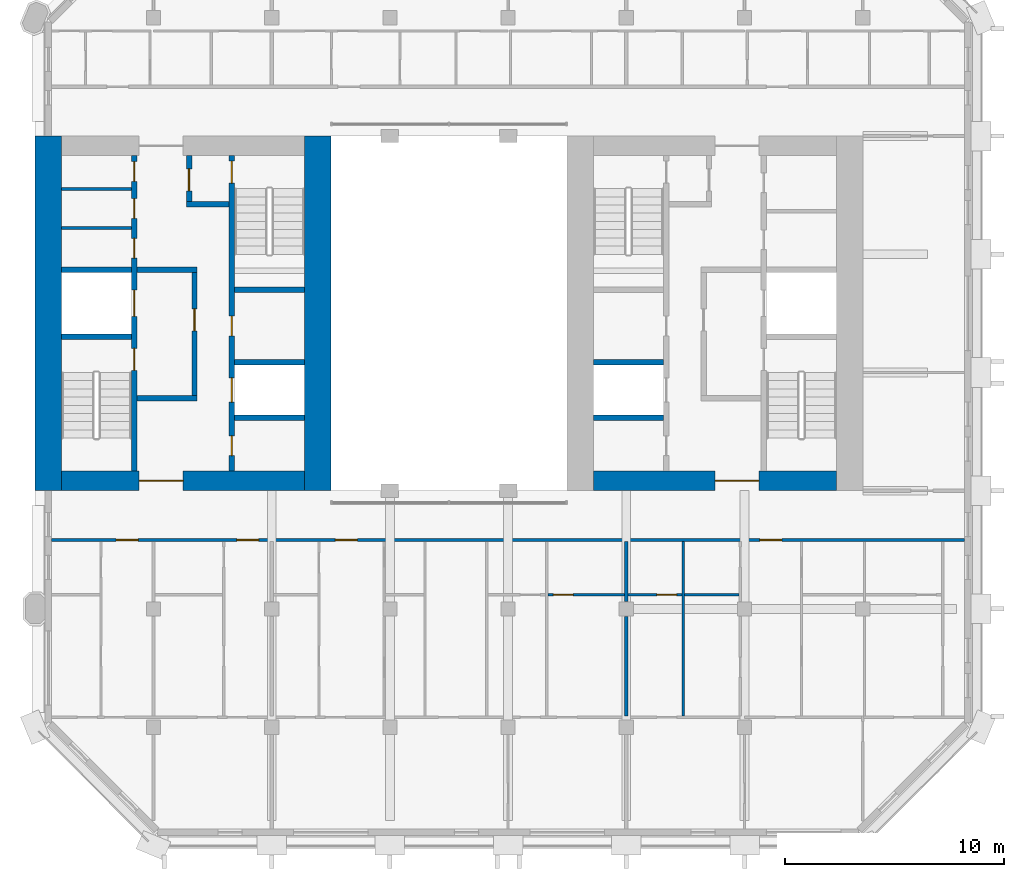
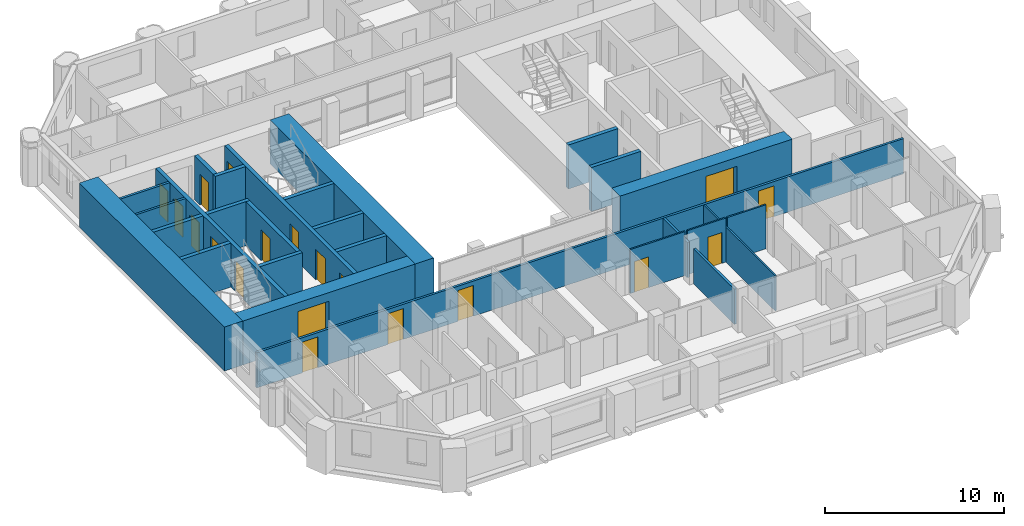
# One storey, part 7 of 14: 27 walls, 19 doors, 19 openings.
"""IFC4 building model written with IfcOpenShell, lengths in metres."""

from ifc_helpers import new_model, si_unit, direction, frame, frame_2d, origin, place, context, subcontext, project, spatial, rectangle, extrude, material, layer, layer_set, type_object, element, fill, save


model = new_model("IFC4")

# Units and contexts
model_context = context("Model", 3, precision=1e-05, world=origin(), true_north=direction((0.0, 1.0)))
body_context = subcontext(model_context, "Body", "Model", "MODEL_VIEW")
ifc_project = project(units=[si_unit("LENGTHUNIT", "METRE"), si_unit("AREAUNIT", "SQUARE_METRE"), si_unit("VOLUMEUNIT", "CUBIC_METRE"), si_unit("PLANEANGLEUNIT", "RADIAN"), si_unit("MASSUNIT", "GRAM", prefix="KILO")], contexts=[model_context])

# Site, building, storey
site_placement = place(None, origin())
site = spatial("IfcSite", under=ifc_project, at=site_placement, CompositionType="ELEMENT")
building_placement = place(site_placement, origin())
building = spatial("IfcBuilding", under=site, at=building_placement, Name="Tabaq Tower and Sports Hall", CompositionType="ELEMENT")
storey_placement = place(building_placement, frame((0.0, 0.0, 281.800048828125)))
storey = spatial("IfcBuildingStorey", under=building, at=storey_placement, Name="L69", CompositionType="ELEMENT", Elevation=281.800048828125)

# Walls
ifc_material_1 = material(Name="Blockwork", Category="masonry")
ifc_layer_1 = layer(ifc_material_1, 0.14990234375)
ifc_layer_set_1 = layer_set([ifc_layer_1], Name="Core room partition 150 Blockwork")
wall_type_1 = type_object("IfcWallType", Name="Core room partition 150 Blockwork", PredefinedType="PARTITIONING", material=ifc_layer_set_1)
for number, where, z_axis, x_axis, name in (
    (1, (6.60009765625, 28.200927734375, 0.0), (0.0, 0.0, 1.0), (1.0, 0.0, 0.0), "Core room partition W L69"),
    (2, (6.60009765625, 29.97705078125, 0.0), (0.0, 0.0, 1.0), (1.0, 0.0, 0.0), "Core room partition W L69"),
):
    element("IfcWall", number, at=place(storey_placement, frame(where, z_axis=z_axis, x_axis=x_axis)), inside=storey, type_object=wall_type_1, Name=name, PredefinedType="PARTITIONING", context=body_context, shape_type="SweptSolid", body=[
        extrude(rectangle(XDim=3.199951171875, YDim=0.14990234375, at=frame_2d((1.60009765625, 0.0))), origin(), (0.0, 0.0, 1.0), 3.0),
    ])
ifc_material_2 = material(Name="Concrete C40/50", Category="concrete")
ifc_layer_2 = layer(ifc_material_2, 1.199951171875)
ifc_layer_set_2 = layer_set([ifc_layer_2], Name="Core wall 1200 Concrete C40/50")
wall_type_2 = type_object("IfcWallType", Name="Core wall 1200 Concrete C40/50", PredefinedType="SOLIDWALL", material=ifc_layer_set_2)
for number, where, z_axis, x_axis, name in (
    (3, (6.0, 16.199951171875, 0.0), (0.0, 0.0, 1.0), (0.0, 1.0, 0.0), "Core wall W L69"),
    (4, (18.300048828125, 32.39990234375, 0.0), (0.0, 0.0, 1.0), (0.0, -1.0, 0.0), "Core wall W L69"),
):
    element("IfcWall", number, at=place(storey_placement, frame(where, z_axis=z_axis, x_axis=x_axis)), inside=storey, type_object=wall_type_2, Name=name, PredefinedType="SOLIDWALL", context=body_context, shape_type="SweptSolid", body=[
        extrude(rectangle(XDim=16.199951171875, YDim=1.199951171875, at=frame_2d((8.10009765625, 0.0))), origin(), (0.0, 0.0, 1.0), 3.0),
    ])

# Wall, opening, door
ifc_material_3 = material(Name="Concrete C40/50", Category="concrete")
ifc_layer_3 = layer(ifc_material_3, 0.89990234375)
ifc_layer_set_3 = layer_set([ifc_layer_3], Name="Core wall 900 Concrete C40/50")
wall_type_3 = type_object("IfcWallType", Name="Core wall 900 Concrete C40/50", PredefinedType="SOLIDWALL", material=ifc_layer_set_3)
wall_1_placement = place(storey_placement, frame((17.699951171875, 16.64990234375, 0.0), z_axis=(0.0, 0.0, 1.0), x_axis=(-1.0, 0.0, 0.0)))
wall_1 = element("IfcWall", 5, at=wall_1_placement, inside=storey, type_object=wall_type_3, Name="Core wall W L69", PredefinedType="SOLIDWALL", context=body_context, shape_type="SweptSolid", body=[
    extrude(rectangle(XDim=11.099853515625, YDim=0.89990234375, at=frame_2d((5.5498046875, 0.0))), origin(), (0.0, 0.0, 1.0), 3.0),
])
opening_1_placement = place(wall_1_placement, frame((5.550048828125, 0.0, 0.0)))
opening_1 = element("IfcOpeningElement", 6, at=opening_1_placement, cuts=wall_1, Name="Opening PD-WL69-01", PredefinedType="OPENING", context=body_context, shape_type="SweptSolid", body=[
    extrude(rectangle(XDim=2.0, YDim=2.39990234375, at=frame_2d((1.0, 1.199951171875))), frame((0.0, 0.449951171875, 0.0), z_axis=(0.0, -1.0, 0.0), x_axis=(1.0, 0.0, 0.0)), (0.0, 0.0, 1.0), 0.89990234375),
])
ifc_material_4 = material(Name="Steel fire door", Category="steel")
door_type_1 = type_object("IfcDoorType", Name="Core entrance door 2000", OperationType="DOUBLE_DOOR_SINGLE_SWING", PredefinedType="DOOR", material=ifc_material_4)
door_1_placement = place(opening_1_placement, origin())
door_1 = element("IfcDoor", 7, at=door_1_placement, inside=storey, type_object=door_type_1, Name="Core entrance south W L69", OperationType="DOUBLE_DOOR_SINGLE_SWING", OverallHeight=2.39990234375, OverallWidth=2.0, PredefinedType="DOOR", context=body_context, shape_type="SweptSolid", body=[
    extrude(rectangle(XDim=2.0, YDim=2.39990234375, at=frame_2d((1.0, 1.199951171875))), frame((0.0, 0.02490234375, 0.0), z_axis=(0.0, -1.0, 0.0), x_axis=(1.0, 0.0, 0.0)), (0.0, 0.0, 1.0), 0.050048828125),
])
fill(opening_1, door_1)

wall_2_placement = place(storey_placement, frame((42.0, 16.64990234375, 0.0), z_axis=(0.0, 0.0, 1.0), x_axis=(-1.0, 0.0, 0.0)))
wall_2 = element("IfcWall", 8, at=wall_2_placement, inside=storey, type_object=wall_type_3, Name="Core wall E L69", PredefinedType="SOLIDWALL", context=body_context, shape_type="SweptSolid", body=[
    extrude(rectangle(XDim=11.10009765625, YDim=0.89990234375, at=frame_2d((5.550048828125, 0.0))), origin(), (0.0, 0.0, 1.0), 3.0),
])
opening_2_placement = place(wall_2_placement, frame((3.550048828125, 0.0, 0.0)))
opening_2 = element("IfcOpeningElement", 9, at=opening_2_placement, cuts=wall_2, Name="Opening PD-EL69-01", PredefinedType="OPENING", context=body_context, shape_type="SweptSolid", body=[
    extrude(rectangle(XDim=2.0, YDim=2.39990234375, at=frame_2d((1.0, 1.199951171875))), frame((0.0, 0.449951171875, 0.0), z_axis=(0.0, -1.0, 0.0), x_axis=(1.0, 0.0, 0.0)), (0.0, 0.0, 1.0), 0.89990234375),
])
door_2_placement = place(opening_2_placement, origin())
door_2 = element("IfcDoor", 10, at=door_2_placement, inside=storey, type_object=door_type_1, Name="Core entrance south E L69", OperationType="DOUBLE_DOOR_SINGLE_SWING", OverallHeight=2.39990234375, OverallWidth=2.0, PredefinedType="DOOR", context=body_context, shape_type="SweptSolid", body=[
    extrude(rectangle(XDim=2.0, YDim=2.39990234375, at=frame_2d((1.0, 1.199951171875))), frame((0.0, 0.02490234375, 0.0), z_axis=(0.0, -1.0, 0.0), x_axis=(1.0, 0.0, 0.0)), (0.0, 0.0, 1.0), 0.050048828125),
])
fill(opening_2, door_2)

ifc_material_5 = material(Name="Gypsum board on steel studs", Category="steel")
ifc_layer_4 = layer(ifc_material_5, 0.10009765625)
ifc_layer_set_4 = layer_set([ifc_layer_4], Name="Partition 100 Gypsum board")
wall_type_4 = type_object("IfcWallType", Name="Partition 100 Gypsum board", PredefinedType="PARTITIONING", material=ifc_layer_set_4)
wall_3_placement = place(storey_placement, frame((32.324951171875, 11.449951171875, 0.0), z_axis=(0.0, 0.0, 1.0), x_axis=(-1.0, 0.0, 0.0)))
wall_3 = element("IfcWall", 11, at=wall_3_placement, inside=storey, type_object=wall_type_4, Name="Partition wall L69", PredefinedType="PARTITIONING", context=body_context, shape_type="SweptSolid", body=[
    extrude(rectangle(XDim=3.512939453125, YDim=0.10009765625, at=frame_2d((1.75634765625, 0.0))), origin(), (0.0, 0.0, 1.0), 3.0),
])
opening_3_placement = place(wall_3_placement, frame((2.35498046875, 0.0, 0.0)))
opening_3 = element("IfcOpeningElement", 12, at=opening_3_placement, cuts=wall_3, Name="Opening L69-020", PredefinedType="OPENING", context=body_context, shape_type="SweptSolid", body=[
    extrude(rectangle(XDim=0.89990234375, YDim=2.10009765625, at=frame_2d((0.449951171875, 1.050048828125))), frame((0.0, 0.050048828125, 0.0), z_axis=(0.0, -1.0, 0.0), x_axis=(1.0, 0.0, 0.0)), (0.0, 0.0, 1.0), 0.10009765625),
])
ifc_material_6 = material(Name="Timber leaf in steel frame", Category="steel")
door_type_2 = type_object("IfcDoorType", Name="Internal door 900 right hand", OperationType="SINGLE_SWING_RIGHT", PredefinedType="DOOR", material=ifc_material_6)
door_3_placement = place(opening_3_placement, origin())
door_3 = element("IfcDoor", 13, at=door_3_placement, inside=storey, type_object=door_type_2, Name="Internal door L69-020", OperationType="SINGLE_SWING_RIGHT", OverallHeight=2.10009765625, OverallWidth=0.89990234375, PredefinedType="DOOR", context=body_context, shape_type="SweptSolid", body=[
    extrude(rectangle(XDim=0.89990234375, YDim=2.10009765625, at=frame_2d((0.449951171875, 1.050048828125))), frame((0.0, 0.02490234375, 0.0), z_axis=(0.0, -1.0, 0.0), x_axis=(1.0, 0.0, 0.0)), (0.0, 0.0, 1.0), 0.050048828125),
])
fill(opening_3, door_3)

wall_4_placement = place(storey_placement, frame((34.949951171875, 11.449951171875, 0.0), z_axis=(0.0, 0.0, 1.0), x_axis=(-1.0, 0.0, 0.0)))
wall_4 = element("IfcWall", 14, at=wall_4_placement, inside=storey, type_object=wall_type_4, Name="Partition wall L69", PredefinedType="PARTITIONING", context=body_context, shape_type="SweptSolid", body=[
    extrude(rectangle(XDim=2.474853515625, YDim=0.10009765625, at=frame_2d((1.2373046875, 0.0))), origin(), (0.0, 0.0, 1.0), 3.0),
])
opening_4_placement = place(wall_4_placement, frame((0.25, 0.0, 0.0)))
opening_4 = element("IfcOpeningElement", 15, at=opening_4_placement, cuts=wall_4, Name="Opening L69-021", PredefinedType="OPENING", context=body_context, shape_type="SweptSolid", body=[
    extrude(rectangle(XDim=0.89990234375, YDim=2.10009765625, at=frame_2d((0.449951171875, 1.050048828125))), frame((0.0, 0.050048828125, 0.0), z_axis=(0.0, -1.0, 0.0), x_axis=(1.0, 0.0, 0.0)), (0.0, 0.0, 1.0), 0.10009765625),
])
ifc_material_7 = material(Name="Timber leaf in steel frame", Category="steel")
door_type_3 = type_object("IfcDoorType", Name="Internal door 900 left hand", OperationType="SINGLE_SWING_LEFT", PredefinedType="DOOR", material=ifc_material_7)
door_4_placement = place(opening_4_placement, origin())
door_4 = element("IfcDoor", 16, at=door_4_placement, inside=storey, type_object=door_type_3, Name="Internal door L69-021", OperationType="SINGLE_SWING_LEFT", OverallHeight=2.10009765625, OverallWidth=0.89990234375, PredefinedType="DOOR", context=body_context, shape_type="SweptSolid", body=[
    extrude(rectangle(XDim=0.89990234375, YDim=2.10009765625, at=frame_2d((0.449951171875, 1.050048828125))), frame((0.0, 0.02490234375, 0.0), z_axis=(0.0, -1.0, 0.0), x_axis=(1.0, 0.0, 0.0)), (0.0, 0.0, 1.0), 0.050048828125),
])
fill(opening_4, door_4)

# Walls
wall_5_placement = place(storey_placement, frame((35.0, 5.89990234375, 0.0), z_axis=(0.0, 0.0, 1.0), x_axis=(0.0, 1.0, 0.0)))
element("IfcWall", 17, at=wall_5_placement, inside=storey, type_object=wall_type_4, Name="Partition wall L69", PredefinedType="PARTITIONING", context=body_context, shape_type="SweptSolid", body=[
    extrude(rectangle(XDim=7.97509765625, YDim=0.10009765625, at=frame_2d((3.987548828125, 0.0))), origin(), (0.0, 0.0, 1.0), 2.39990234375),
])
wall_6_placement = place(storey_placement, frame((37.552001953125, 11.449951171875, 0.0), z_axis=(0.0, 0.0, 1.0), x_axis=(-1.0, 0.0, 0.0)))
element("IfcWall", 18, at=wall_6_placement, inside=storey, type_object=wall_type_4, Name="Partition wall L69", PredefinedType="PARTITIONING", context=body_context, shape_type="SweptSolid", body=[
    extrude(rectangle(XDim=2.501953125, YDim=0.10009765625, at=frame_2d((1.2509765625, 0.0))), origin(), (0.0, 0.0, 1.0), 3.0),
])
ifc_material_8 = material(Name="Blockwork", Category="masonry")
ifc_layer_5 = layer(ifc_material_8, 0.14990234375)
ifc_layer_set_5 = layer_set([ifc_layer_5], Name="Separating wall 150 Blockwork")
wall_type_5 = type_object("IfcWallType", Name="Separating wall 150 Blockwork", PredefinedType="PARTITIONING", material=ifc_layer_set_5)
wall_7_placement = place(storey_placement, frame((32.39990234375, 5.89990234375, 0.0), z_axis=(0.0, 0.0, 1.0), x_axis=(0.0, 1.0, 0.0)))
element("IfcWall", 19, at=wall_7_placement, inside=storey, type_object=wall_type_5, Name="Separating wall L69", PredefinedType="PARTITIONING", context=body_context, shape_type="SweptSolid", body=[
    extrude(rectangle(XDim=4.55517578125, YDim=0.14990234375, at=frame_2d((2.277587890625, 0.0))), origin(), (0.0, 0.0, 1.0), 2.39990234375),
])
wall_8_placement = place(storey_placement, frame((32.39990234375, 11.14501953125, 0.0), z_axis=(0.0, 0.0, 1.0), x_axis=(0.0, 1.0, 0.0)))
element("IfcWall", 20, at=wall_8_placement, inside=storey, type_object=wall_type_5, Name="Separating wall L69", PredefinedType="PARTITIONING", context=body_context, shape_type="SweptSolid", body=[
    extrude(rectangle(XDim=2.72998046875, YDim=0.14990234375, at=frame_2d((1.364990234375, 0.0))), origin(), (0.0, 0.0, 1.0), 2.39990234375),
])

# Wall, openings, doors
wall_9_placement = place(storey_placement, frame((47.84912109375, 13.949951171875, 0.0), z_axis=(0.0, 0.0, 1.0), x_axis=(-1.0, 0.0, 0.0)))
wall_9 = element("IfcWall", 21, at=wall_9_placement, inside=storey, type_object=wall_type_5, Name="Separating wall L69", PredefinedType="PARTITIONING", context=body_context, shape_type="SweptSolid", body=[
    extrude(rectangle(XDim=41.6982421875, YDim=0.14990234375, at=frame_2d((20.84912109375, 0.0))), origin(), (0.0, 0.0, 1.0), 2.39990234375),
])
opening_5_placement = place(wall_9_placement, frame((37.7490234375, 0.0, 0.0)))
opening_5 = element("IfcOpeningElement", 22, at=opening_5_placement, cuts=wall_9, Name="Opening L69-058", PredefinedType="OPENING", context=body_context, shape_type="SweptSolid", body=[
    extrude(rectangle(XDim=1.0, YDim=2.10009765625, at=frame_2d((0.5, 1.050048828125))), frame((0.0, 0.074951171875, 0.0), z_axis=(0.0, -1.0, 0.0), x_axis=(1.0, 0.0, 0.0)), (0.0, 0.0, 1.0), 0.14990234375),
])
opening_6_placement = place(wall_9_placement, frame((32.243896484375, 0.0, 0.0)))
opening_6 = element("IfcOpeningElement", 23, at=opening_6_placement, cuts=wall_9, Name="Opening L69-059", PredefinedType="OPENING", context=body_context, shape_type="SweptSolid", body=[
    extrude(rectangle(XDim=1.0, YDim=2.10009765625, at=frame_2d((0.5, 1.050048828125))), frame((0.0, 0.074951171875, 0.0), z_axis=(0.0, -1.0, 0.0), x_axis=(1.0, 0.0, 0.0)), (0.0, 0.0, 1.0), 0.14990234375),
])
opening_7_placement = place(wall_9_placement, frame((27.735107421875, 0.0, 0.0)))
opening_7 = element("IfcOpeningElement", 24, at=opening_7_placement, cuts=wall_9, Name="Opening L69-061", PredefinedType="OPENING", context=body_context, shape_type="SweptSolid", body=[
    extrude(rectangle(XDim=1.0, YDim=2.10009765625, at=frame_2d((0.5, 1.050048828125))), frame((0.0, 0.074951171875, 0.0), z_axis=(0.0, -1.0, 0.0), x_axis=(1.0, 0.0, 0.0)), (0.0, 0.0, 1.0), 0.14990234375),
])
opening_8_placement = place(wall_9_placement, frame((8.346923828125, 0.0, 0.0)))
opening_8 = element("IfcOpeningElement", 25, at=opening_8_placement, cuts=wall_9, Name="Opening L69-062", PredefinedType="OPENING", context=body_context, shape_type="SweptSolid", body=[
    extrude(rectangle(XDim=1.0, YDim=2.10009765625, at=frame_2d((0.5, 1.050048828125))), frame((0.0, 0.074951171875, 0.0), z_axis=(0.0, -1.0, 0.0), x_axis=(1.0, 0.0, 0.0)), (0.0, 0.0, 1.0), 0.14990234375),
])
ifc_material_9 = material(Name="Steel fire door", Category="steel")
door_type_4 = type_object("IfcDoorType", Name="Entrance door 1000 left hand", OperationType="SINGLE_SWING_LEFT", PredefinedType="DOOR", material=ifc_material_9)
door_5_placement = place(opening_5_placement, origin())
door_5 = element("IfcDoor", 26, at=door_5_placement, inside=storey, type_object=door_type_4, Name="Entrance door L69-058", OperationType="SINGLE_SWING_LEFT", OverallHeight=2.10009765625, OverallWidth=1.0, PredefinedType="DOOR", context=body_context, shape_type="SweptSolid", body=[
    extrude(rectangle(XDim=1.0, YDim=2.10009765625, at=frame_2d((0.5, 1.050048828125))), frame((0.0, 0.02490234375, 0.0), z_axis=(0.0, -1.0, 0.0), x_axis=(1.0, 0.0, 0.0)), (0.0, 0.0, 1.0), 0.050048828125),
])
fill(opening_5, door_5)
door_6_placement = place(opening_6_placement, origin())
door_6 = element("IfcDoor", 27, at=door_6_placement, inside=storey, type_object=door_type_4, Name="Entrance door L69-059", OperationType="SINGLE_SWING_LEFT", OverallHeight=2.10009765625, OverallWidth=1.0, PredefinedType="DOOR", context=body_context, shape_type="SweptSolid", body=[
    extrude(rectangle(XDim=1.0, YDim=2.10009765625, at=frame_2d((0.5, 1.050048828125))), frame((0.0, 0.02490234375, 0.0), z_axis=(0.0, -1.0, 0.0), x_axis=(1.0, 0.0, 0.0)), (0.0, 0.0, 1.0), 0.050048828125),
])
fill(opening_6, door_6)
door_7_placement = place(opening_8_placement, origin())
door_7 = element("IfcDoor", 28, at=door_7_placement, inside=storey, type_object=door_type_4, Name="Entrance door L69-062", OperationType="SINGLE_SWING_LEFT", OverallHeight=2.10009765625, OverallWidth=1.0, PredefinedType="DOOR", context=body_context, shape_type="SweptSolid", body=[
    extrude(rectangle(XDim=1.0, YDim=2.10009765625, at=frame_2d((0.5, 1.050048828125))), frame((0.0, 0.02490234375, 0.0), z_axis=(0.0, -1.0, 0.0), x_axis=(1.0, 0.0, 0.0)), (0.0, 0.0, 1.0), 0.050048828125),
])
fill(opening_8, door_7)
ifc_material_10 = material(Name="Steel fire door", Category="steel")
door_type_5 = type_object("IfcDoorType", Name="Entrance door 1000 right hand", OperationType="SINGLE_SWING_RIGHT", PredefinedType="DOOR", material=ifc_material_10)
door_8_placement = place(opening_7_placement, origin())
door_8 = element("IfcDoor", 29, at=door_8_placement, inside=storey, type_object=door_type_5, Name="Entrance door L69-061", OperationType="SINGLE_SWING_RIGHT", OverallHeight=2.10009765625, OverallWidth=1.0, PredefinedType="DOOR", context=body_context, shape_type="SweptSolid", body=[
    extrude(rectangle(XDim=1.0, YDim=2.10009765625, at=frame_2d((0.5, 1.050048828125))), frame((0.0, 0.02490234375, 0.0), z_axis=(0.0, -1.0, 0.0), x_axis=(1.0, 0.0, 0.0)), (0.0, 0.0, 1.0), 0.050048828125),
])
fill(opening_7, door_8)

ifc_material_11 = material(Name="Concrete C40/50", Category="concrete")
ifc_layer_6 = layer(ifc_material_11, 0.25)
ifc_layer_set_6 = layer_set([ifc_layer_6], Name="Shaft and stair wall 250 Concrete C40/50")
wall_type_6 = type_object("IfcWallType", Name="Shaft and stair wall 250 Concrete C40/50", PredefinedType="SOLIDWALL", material=ifc_layer_set_6)
wall_10_placement = place(storey_placement, frame((9.925048828125, 17.10009765625, 0.0), z_axis=(0.0, 0.0, 1.0), x_axis=(0.0, 1.0, 0.0)))
wall_10 = element("IfcWall", 30, at=wall_10_placement, inside=storey, type_object=wall_type_6, Name="Shaft wall W L69", PredefinedType="SOLIDWALL", context=body_context, shape_type="SweptSolid", body=[
    extrude(rectangle(XDim=14.39990234375, YDim=0.25, at=frame_2d((7.199951171875, 0.0))), origin(), (0.0, 0.0, 1.0), 3.0),
])
opening_9_placement = place(wall_10_placement, frame((4.60009765625, 0.0, 0.0)))
opening_9 = element("IfcOpeningElement", 31, at=opening_9_placement, cuts=wall_10, Name="Opening SD-WL69-03", PredefinedType="OPENING", context=body_context, shape_type="SweptSolid", body=[
    extrude(rectangle(XDim=1.0, YDim=2.10009765625, at=frame_2d((0.5, 1.050048828125))), frame((0.0, 0.125, 0.0), z_axis=(0.0, -1.0, 0.0), x_axis=(1.0, 0.0, 0.0)), (0.0, 0.0, 1.0), 0.25),
])
opening_10_placement = place(wall_10_placement, frame((7.0625, 0.0, 0.0)))
opening_10 = element("IfcOpeningElement", 32, at=opening_10_placement, cuts=wall_10, Name="Opening LD-FF1-L69", PredefinedType="OPENING", context=body_context, shape_type="SweptSolid", body=[
    extrude(rectangle(XDim=1.199951171875, YDim=2.10009765625, at=frame_2d((0.60009765625, 1.050048828125))), frame((0.0, 0.125, 0.0), z_axis=(0.0, -1.0, 0.0), x_axis=(1.0, 0.0, 0.0)), (0.0, 0.0, 1.0), 0.25),
])
opening_11_placement = place(wall_10_placement, frame((9.7255859375, 0.0, 0.0)))
opening_11 = element("IfcOpeningElement", 33, at=opening_11_placement, cuts=wall_10, Name="Opening RD-WL69-09", PredefinedType="OPENING", context=body_context, shape_type="SweptSolid", body=[
    extrude(rectangle(XDim=0.89990234375, YDim=2.10009765625, at=frame_2d((0.449951171875, 1.050048828125))), frame((0.0, 0.125, 0.0), z_axis=(0.0, -1.0, 0.0), x_axis=(1.0, 0.0, 0.0)), (0.0, 0.0, 1.0), 0.25),
])
opening_12_placement = place(wall_10_placement, frame((11.5390625, 0.0, 0.0)))
opening_12 = element("IfcOpeningElement", 34, at=opening_12_placement, cuts=wall_10, Name="Opening RD-WL69-10", PredefinedType="OPENING", context=body_context, shape_type="SweptSolid", body=[
    extrude(rectangle(XDim=0.89990234375, YDim=2.10009765625, at=frame_2d((0.449951171875, 1.050048828125))), frame((0.0, 0.125, 0.0), z_axis=(0.0, -1.0, 0.0), x_axis=(1.0, 0.0, 0.0)), (0.0, 0.0, 1.0), 0.25),
])
opening_13_placement = place(wall_10_placement, frame((13.22607421875, 0.0, 0.0)))
opening_13 = element("IfcOpeningElement", 35, at=opening_13_placement, cuts=wall_10, Name="Opening RD-WL69-11", PredefinedType="OPENING", context=body_context, shape_type="SweptSolid", body=[
    extrude(rectangle(XDim=0.89990234375, YDim=2.10009765625, at=frame_2d((0.449951171875, 1.050048828125))), frame((0.0, 0.125, 0.0), z_axis=(0.0, -1.0, 0.0), x_axis=(1.0, 0.0, 0.0)), (0.0, 0.0, 1.0), 0.25),
])
ifc_material_12 = material(Name="Steel fire door", Category="steel")
door_type_6 = type_object("IfcDoorType", Name="Core room door 900", OperationType="SINGLE_SWING_LEFT", PredefinedType="DOOR", material=ifc_material_12)
door_9_placement = place(opening_11_placement, origin())
door_9 = element("IfcDoor", 36, at=door_9_placement, inside=storey, type_object=door_type_6, Name="Door Cleaner's Store W L69", OperationType="SINGLE_SWING_LEFT", OverallHeight=2.10009765625, OverallWidth=0.89990234375, PredefinedType="DOOR", context=body_context, shape_type="SweptSolid", body=[
    extrude(rectangle(XDim=0.89990234375, YDim=2.10009765625, at=frame_2d((0.449951171875, 1.050048828125))), frame((0.0, 0.02490234375, 0.0), z_axis=(0.0, -1.0, 0.0), x_axis=(1.0, 0.0, 0.0)), (0.0, 0.0, 1.0), 0.050048828125),
])
fill(opening_11, door_9)
door_10_placement = place(opening_12_placement, origin())
door_10 = element("IfcDoor", 37, at=door_10_placement, inside=storey, type_object=door_type_6, Name="Door Refuse Room W L69", OperationType="SINGLE_SWING_LEFT", OverallHeight=2.10009765625, OverallWidth=0.89990234375, PredefinedType="DOOR", context=body_context, shape_type="SweptSolid", body=[
    extrude(rectangle(XDim=0.89990234375, YDim=2.10009765625, at=frame_2d((0.449951171875, 1.050048828125))), frame((0.0, 0.02490234375, 0.0), z_axis=(0.0, -1.0, 0.0), x_axis=(1.0, 0.0, 0.0)), (0.0, 0.0, 1.0), 0.050048828125),
])
fill(opening_12, door_10)
door_11_placement = place(opening_13_placement, origin())
door_11 = element("IfcDoor", 38, at=door_11_placement, inside=storey, type_object=door_type_6, Name="Door Riser Room W L69", OperationType="SINGLE_SWING_LEFT", OverallHeight=2.10009765625, OverallWidth=0.89990234375, PredefinedType="DOOR", context=body_context, shape_type="SweptSolid", body=[
    extrude(rectangle(XDim=0.89990234375, YDim=2.10009765625, at=frame_2d((0.449951171875, 1.050048828125))), frame((0.0, 0.02490234375, 0.0), z_axis=(0.0, -1.0, 0.0), x_axis=(1.0, 0.0, 0.0)), (0.0, 0.0, 1.0), 0.050048828125),
])
fill(opening_13, door_11)
ifc_material_13 = material(Name="Stainless steel", Category="steel")
door_type_7 = type_object("IfcDoorType", Name="Lift landing door 1200", OperationType="DOUBLE_DOOR_SLIDING", PredefinedType="DOOR", material=ifc_material_13)
door_12_placement = place(opening_10_placement, origin())
door_12 = element("IfcDoor", 39, at=door_12_placement, inside=storey, type_object=door_type_7, Name="Lift landing door FF1 W L69", OperationType="DOUBLE_DOOR_SLIDING", OverallHeight=2.10009765625, OverallWidth=1.199951171875, PredefinedType="DOOR", context=body_context, shape_type="SweptSolid", body=[
    extrude(rectangle(XDim=1.199951171875, YDim=2.10009765625, at=frame_2d((0.60009765625, 1.050048828125))), frame((0.0, 0.02490234375, 0.0), z_axis=(0.0, -1.0, 0.0), x_axis=(1.0, 0.0, 0.0)), (0.0, 0.0, 1.0), 0.050048828125),
])
fill(opening_10, door_12)
ifc_material_14 = material(Name="Steel fire door", Category="steel")
door_type_8 = type_object("IfcDoorType", Name="Stair door 1000", OperationType="SINGLE_SWING_LEFT", PredefinedType="DOOR", material=ifc_material_14)
door_13_placement = place(opening_9_placement, origin())
door_13 = element("IfcDoor", 40, at=door_13_placement, inside=storey, type_object=door_type_8, Name="Stair door ST1 W L69", OperationType="SINGLE_SWING_LEFT", OverallHeight=2.10009765625, OverallWidth=1.0, PredefinedType="DOOR", context=body_context, shape_type="SweptSolid", body=[
    extrude(rectangle(XDim=1.0, YDim=2.10009765625, at=frame_2d((0.5, 1.050048828125))), frame((0.0, 0.02490234375, 0.0), z_axis=(0.0, -1.0, 0.0), x_axis=(1.0, 0.0, 0.0)), (0.0, 0.0, 1.0), 0.050048828125),
])
fill(opening_9, door_13)

wall_11_placement = place(storey_placement, frame((14.375, 17.10009765625, 0.0), z_axis=(0.0, 0.0, 1.0), x_axis=(0.0, 1.0, 0.0)))
wall_11 = element("IfcWall", 41, at=wall_11_placement, inside=storey, type_object=wall_type_6, Name="Shaft wall W L69", PredefinedType="SOLIDWALL", context=body_context, shape_type="SweptSolid", body=[
    extrude(rectangle(XDim=14.39990234375, YDim=0.25, at=frame_2d((7.199951171875, 0.0))), origin(), (0.0, 0.0, 1.0), 3.0),
])
opening_14_placement = place(wall_11_placement, frame((13.14990234375, 0.0, 0.0)))
opening_14 = element("IfcOpeningElement", 42, at=opening_14_placement, cuts=wall_11, Name="Opening SD-WL69-05", PredefinedType="OPENING", context=body_context, shape_type="SweptSolid", body=[
    extrude(rectangle(XDim=1.0, YDim=2.10009765625, at=frame_2d((0.5, 1.050048828125))), frame((0.0, 0.125, 0.0), z_axis=(0.0, -1.0, 0.0), x_axis=(1.0, 0.0, 0.0)), (0.0, 0.0, 1.0), 0.25),
])
opening_15_placement = place(wall_11_placement, frame((3.14990234375, 0.0, 0.0)))
opening_15 = element("IfcOpeningElement", 43, at=opening_15_placement, cuts=wall_11, Name="Opening LD-HR1-L69", PredefinedType="OPENING", context=body_context, shape_type="SweptSolid", body=[
    extrude(rectangle(XDim=1.10009765625, YDim=2.10009765625, at=frame_2d((0.550048828125, 1.050048828125))), frame((0.0, 0.125, 0.0), z_axis=(0.0, -1.0, 0.0), x_axis=(1.0, 0.0, 0.0)), (0.0, 0.0, 1.0), 0.25),
])
opening_16_placement = place(wall_11_placement, frame((0.699951171875, 0.0, 0.0)))
opening_16 = element("IfcOpeningElement", 44, at=opening_16_placement, cuts=wall_11, Name="Opening RD-WL69-12", PredefinedType="OPENING", context=body_context, shape_type="SweptSolid", body=[
    extrude(rectangle(XDim=0.89990234375, YDim=2.10009765625, at=frame_2d((0.449951171875, 1.050048828125))), frame((0.0, 0.125, 0.0), z_axis=(0.0, -1.0, 0.0), x_axis=(1.0, 0.0, 0.0)), (0.0, 0.0, 1.0), 0.25),
])
opening_17_placement = place(wall_11_placement, frame((6.175048828125, 0.0, 0.0)))
opening_17 = element("IfcOpeningElement", 45, at=opening_17_placement, cuts=wall_11, Name="Opening RD-WL69-13", PredefinedType="OPENING", context=body_context, shape_type="SweptSolid", body=[
    extrude(rectangle(XDim=0.89990234375, YDim=2.10009765625, at=frame_2d((0.449951171875, 1.050048828125))), frame((0.0, 0.125, 0.0), z_axis=(0.0, -1.0, 0.0), x_axis=(1.0, 0.0, 0.0)), (0.0, 0.0, 1.0), 0.25),
])
door_14_placement = place(opening_16_placement, origin())
door_14 = element("IfcDoor", 46, at=door_14_placement, inside=storey, type_object=door_type_6, Name="Door Electrical Riser Room W L69", OperationType="SINGLE_SWING_LEFT", OverallHeight=2.10009765625, OverallWidth=0.89990234375, PredefinedType="DOOR", context=body_context, shape_type="SweptSolid", body=[
    extrude(rectangle(XDim=0.89990234375, YDim=2.10009765625, at=frame_2d((0.449951171875, 1.050048828125))), frame((0.0, 0.02490234375, 0.0), z_axis=(0.0, -1.0, 0.0), x_axis=(1.0, 0.0, 0.0)), (0.0, 0.0, 1.0), 0.050048828125),
])
fill(opening_16, door_14)
door_15_placement = place(opening_17_placement, origin())
door_15 = element("IfcDoor", 47, at=door_15_placement, inside=storey, type_object=door_type_6, Name="Door Riser Room W L69", OperationType="SINGLE_SWING_LEFT", OverallHeight=2.10009765625, OverallWidth=0.89990234375, PredefinedType="DOOR", context=body_context, shape_type="SweptSolid", body=[
    extrude(rectangle(XDim=0.89990234375, YDim=2.10009765625, at=frame_2d((0.449951171875, 1.050048828125))), frame((0.0, 0.02490234375, 0.0), z_axis=(0.0, -1.0, 0.0), x_axis=(1.0, 0.0, 0.0)), (0.0, 0.0, 1.0), 0.050048828125),
])
fill(opening_17, door_15)
ifc_material_15 = material(Name="Stainless steel", Category="steel")
door_type_9 = type_object("IfcDoorType", Name="Lift landing door 1100", OperationType="DOUBLE_DOOR_SLIDING", PredefinedType="DOOR", material=ifc_material_15)
door_16_placement = place(opening_15_placement, origin())
door_16 = element("IfcDoor", 48, at=door_16_placement, inside=storey, type_object=door_type_9, Name="Lift landing door HR1 W L69", OperationType="DOUBLE_DOOR_SLIDING", OverallHeight=2.10009765625, OverallWidth=1.10009765625, PredefinedType="DOOR", context=body_context, shape_type="SweptSolid", body=[
    extrude(rectangle(XDim=1.10009765625, YDim=2.10009765625, at=frame_2d((0.550048828125, 1.050048828125))), frame((0.0, 0.02490234375, 0.0), z_axis=(0.0, -1.0, 0.0), x_axis=(1.0, 0.0, 0.0)), (0.0, 0.0, 1.0), 0.050048828125),
])
fill(opening_15, door_16)
door_17_placement = place(opening_14_placement, origin())
door_17 = element("IfcDoor", 49, at=door_17_placement, inside=storey, type_object=door_type_8, Name="Stair door ST2 W L69", OperationType="SINGLE_SWING_LEFT", OverallHeight=2.10009765625, OverallWidth=1.0, PredefinedType="DOOR", context=body_context, shape_type="SweptSolid", body=[
    extrude(rectangle(XDim=1.0, YDim=2.10009765625, at=frame_2d((0.5, 1.050048828125))), frame((0.0, 0.02490234375, 0.0), z_axis=(0.0, -1.0, 0.0), x_axis=(1.0, 0.0, 0.0)), (0.0, 0.0, 1.0), 0.050048828125),
])
fill(opening_14, door_17)

# Walls
for number, where, z_axis, x_axis, name in (
    (50, (6.60009765625, 23.22509765625, 0.0), (0.0, 0.0, 1.0), (1.0, 0.0, 0.0), "Stair enclosure wall W L69"),
    (51, (14.5, 25.375, 0.0), (0.0, 0.0, 1.0), (1.0, 0.0, 0.0), "Stair enclosure wall W L69"),
    (52, (14.5, 22.074951171875, 0.0), (0.0, 0.0, 1.0), (1.0, 0.0, 0.0), "Shaft wall W L69"),
    (53, (6.60009765625, 26.300048828125, 0.0), (0.0, 0.0, 1.0), (1.0, 0.0, 0.0), "Shaft wall W L69"),
):
    element("IfcWall", number, at=place(storey_placement, frame(where, z_axis=z_axis, x_axis=x_axis)), inside=storey, type_object=wall_type_6, Name=name, PredefinedType="SOLIDWALL", context=body_context, shape_type="SweptSolid", body=[
        extrude(rectangle(XDim=3.199951171875, YDim=0.25, at=frame_2d((1.60009765625, 0.0))), origin(), (0.0, 0.0, 1.0), 3.0),
    ])
for number, where, z_axis, x_axis, name in (
    (54, (10.050048828125, 26.300048828125, 0.0), (0.0, 0.0, 1.0), (1.0, 0.0, 0.0), "Fire-fighting lobby wall W L69"),
    (55, (10.050048828125, 20.425048828125, 0.0), (0.0, 0.0, 1.0), (1.0, 0.0, 0.0), "Fire-fighting lobby wall W L69"),
):
    element("IfcWall", number, at=place(storey_placement, frame(where, z_axis=z_axis, x_axis=x_axis)), inside=storey, type_object=wall_type_6, Name=name, PredefinedType="SOLIDWALL", context=body_context, shape_type="SweptSolid", body=[
        extrude(rectangle(XDim=2.75, YDim=0.25, at=frame_2d((1.375, 0.0))), origin(), (0.0, 0.0, 1.0), 3.0),
    ])

# Wall, opening, door
wall_12_placement = place(storey_placement, frame((12.425048828125, 29.39990234375, 0.0), z_axis=(0.0, 0.0, 1.0), x_axis=(0.0, 1.0, 0.0)))
wall_12 = element("IfcWall", 56, at=wall_12_placement, inside=storey, type_object=wall_type_6, Name="Fire-fighting lobby wall W L69", PredefinedType="SOLIDWALL", context=body_context, shape_type="SweptSolid", body=[
    extrude(rectangle(XDim=2.10009765625, YDim=0.25, at=frame_2d((1.050048828125, 0.0))), origin(), (0.0, 0.0, 1.0), 3.0),
])
opening_18_placement = place(wall_12_placement, frame((0.5, 0.0, 0.0)))
opening_18 = element("IfcOpeningElement", 57, at=opening_18_placement, cuts=wall_12, Name="Opening FD-WL69-06", PredefinedType="OPENING", context=body_context, shape_type="SweptSolid", body=[
    extrude(rectangle(XDim=1.0, YDim=2.10009765625, at=frame_2d((0.5, 1.050048828125))), frame((0.0, 0.125, 0.0), z_axis=(0.0, -1.0, 0.0), x_axis=(1.0, 0.0, 0.0)), (0.0, 0.0, 1.0), 0.25),
])
ifc_material_16 = material(Name="Steel fire door", Category="steel")
door_type_10 = type_object("IfcDoorType", Name="Fire-fighting lobby door 1000", OperationType="SINGLE_SWING_LEFT", PredefinedType="DOOR", material=ifc_material_16)
door_18_placement = place(opening_18_placement, origin())
door_18 = element("IfcDoor", 58, at=door_18_placement, inside=storey, type_object=door_type_10, Name="Stair lobby door W L69", OperationType="SINGLE_SWING_LEFT", OverallHeight=2.10009765625, OverallWidth=1.0, PredefinedType="DOOR", context=body_context, shape_type="SweptSolid", body=[
    extrude(rectangle(XDim=1.0, YDim=2.10009765625, at=frame_2d((0.5, 1.050048828125))), frame((0.0, 0.02490234375, 0.0), z_axis=(0.0, -1.0, 0.0), x_axis=(1.0, 0.0, 0.0)), (0.0, 0.0, 1.0), 0.050048828125),
])
fill(opening_18, door_18)

# Wall
wall_13_placement = place(storey_placement, frame((12.300048828125, 29.27490234375, 0.0), z_axis=(0.0, 0.0, 1.0), x_axis=(1.0, 0.0, 0.0)))
element("IfcWall", 59, at=wall_13_placement, inside=storey, type_object=wall_type_6, Name="Fire-fighting lobby wall W L69", PredefinedType="SOLIDWALL", context=body_context, shape_type="SweptSolid", body=[
    extrude(rectangle(XDim=1.949951171875, YDim=0.25, at=frame_2d((0.97509765625, 0.0))), origin(), (0.0, 0.0, 1.0), 3.0),
])

# Wall, opening, door
wall_14_placement = place(storey_placement, frame((12.675048828125, 20.550048828125, 0.0), z_axis=(0.0, 0.0, 1.0), x_axis=(0.0, 1.0, 0.0)))
wall_14 = element("IfcWall", 60, at=wall_14_placement, inside=storey, type_object=wall_type_6, Name="Fire-fighting lobby wall W L69", PredefinedType="SOLIDWALL", context=body_context, shape_type="SweptSolid", body=[
    extrude(rectangle(XDim=5.625, YDim=0.25, at=frame_2d((2.8125, 0.0))), origin(), (0.0, 0.0, 1.0), 3.0),
])
opening_19_placement = place(wall_14_placement, frame((2.949951171875, 0.0, 0.0)))
opening_19 = element("IfcOpeningElement", 61, at=opening_19_placement, cuts=wall_14, Name="Opening FD-WL69-04", PredefinedType="OPENING", context=body_context, shape_type="SweptSolid", body=[
    extrude(rectangle(XDim=1.0, YDim=2.10009765625, at=frame_2d((0.5, 1.050048828125))), frame((0.0, 0.125, 0.0), z_axis=(0.0, -1.0, 0.0), x_axis=(1.0, 0.0, 0.0)), (0.0, 0.0, 1.0), 0.25),
])
door_19_placement = place(opening_19_placement, origin())
door_19 = element("IfcDoor", 62, at=door_19_placement, inside=storey, type_object=door_type_10, Name="Fire-fighting lobby door W L69", OperationType="SINGLE_SWING_LEFT", OverallHeight=2.10009765625, OverallWidth=1.0, PredefinedType="DOOR", context=body_context, shape_type="SweptSolid", body=[
    extrude(rectangle(XDim=1.0, YDim=2.10009765625, at=frame_2d((0.5, 1.050048828125))), frame((0.0, 0.02490234375, 0.0), z_axis=(0.0, -1.0, 0.0), x_axis=(1.0, 0.0, 0.0)), (0.0, 0.0, 1.0), 0.050048828125),
])
fill(opening_19, door_19)

# Walls
wall_15_placement = place(storey_placement, frame((14.5, 19.52490234375, 0.0), z_axis=(0.0, 0.0, 1.0), x_axis=(1.0, 0.0, 0.0)))
element("IfcWall", 63, at=wall_15_placement, inside=storey, type_object=wall_type_6, Name="Shaft wall W L69", PredefinedType="SOLIDWALL", context=body_context, shape_type="SweptSolid", body=[
    extrude(rectangle(XDim=3.199951171875, YDim=0.25, at=frame_2d((1.60009765625, 0.0))), origin(), (0.0, 0.0, 1.0), 3.0),
])
for number, where, z_axis, x_axis, name in (
    (64, (30.89990234375, 22.074951171875, 0.0), (0.0, 0.0, 1.0), (1.0, 0.0, 0.0), "Shaft wall E L69"),
    (65, (30.89990234375, 19.52490234375, 0.0), (0.0, 0.0, 1.0), (1.0, 0.0, 0.0), "Shaft wall E L69"),
):
    element("IfcWall", number, at=place(storey_placement, frame(where, z_axis=z_axis, x_axis=x_axis)), inside=storey, type_object=wall_type_6, Name=name, PredefinedType="SOLIDWALL", context=body_context, shape_type="SweptSolid", body=[
        extrude(rectangle(XDim=3.2001953125, YDim=0.25, at=frame_2d((1.60009765625, 0.0))), origin(), (0.0, 0.0, 1.0), 3.0),
    ])

save(model, "model.ifc")
